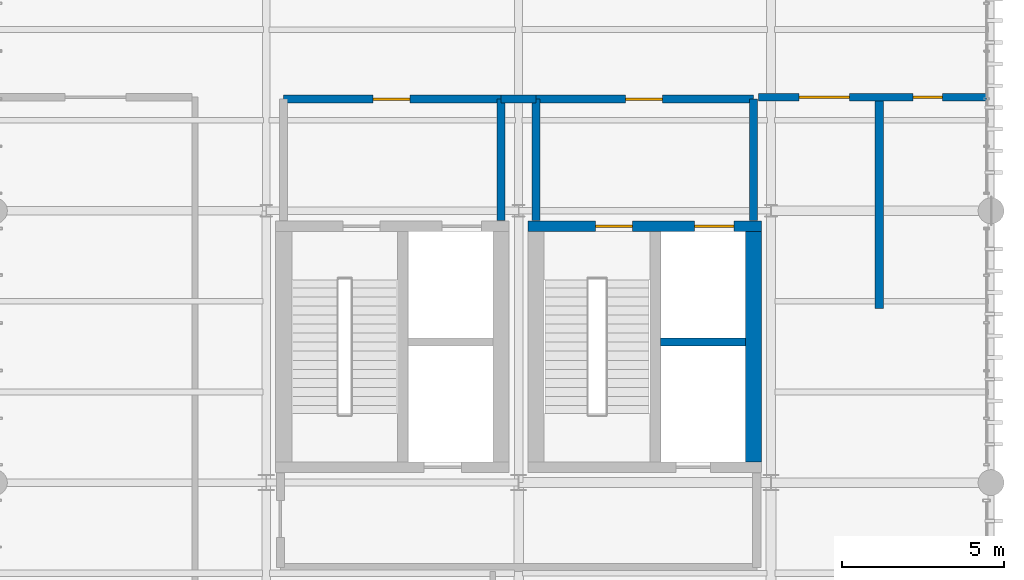
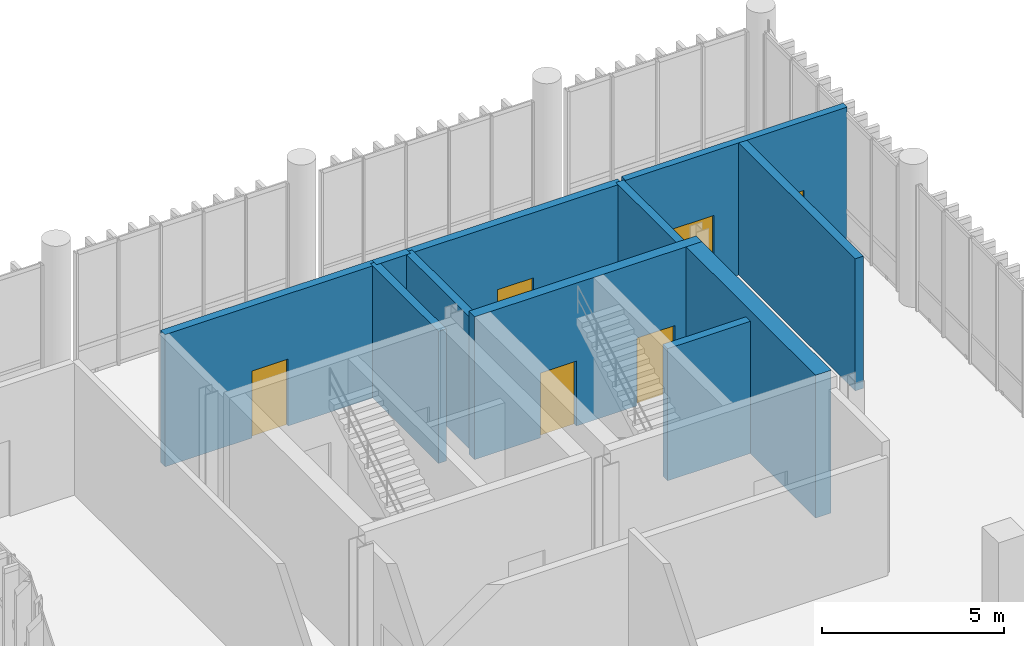
# One storey, part 96 of 109: 11 walls, 6 doors, 6 openings.
"""IFC4 building model written with IfcOpenShell, lengths in metres."""

from ifc_helpers import new_model, si_unit, direction, frame, frame_2d, origin_with_axes, place, context, subcontext, project, spatial, rectangle, extrude, material, layer, layer_set, type_object, element, fill, save


model = new_model("IFC4")

# Units and contexts
model_context = context("Model", 3, precision=1e-05, world=origin_with_axes(), true_north=direction((0.0, 1.0)))
body_context = subcontext(model_context, "Body", "Model", "MODEL_VIEW")
ifc_project = project(units=[si_unit("LENGTHUNIT", "METRE"), si_unit("AREAUNIT", "SQUARE_METRE"), si_unit("VOLUMEUNIT", "CUBIC_METRE"), si_unit("PLANEANGLEUNIT", "RADIAN"), si_unit("MASSUNIT", "GRAM", prefix="KILO"), si_unit("THERMODYNAMICTEMPERATUREUNIT", "KELVIN")], contexts=[model_context])

# Site, building, storey
site_placement = place(None, origin_with_axes())
site = spatial("IfcSite", under=ifc_project, at=site_placement, CompositionType="ELEMENT")
building_placement = place(site_placement, origin_with_axes())
building = spatial("IfcBuilding", under=site, at=building_placement, Name="Montbau Bow Law Courts", CompositionType="ELEMENT")
storey_placement = place(building_placement, frame((0.0, 0.0, 10.8), z_axis=(0.0, 0.0, 1.0), x_axis=(1.0, 0.0, 0.0)))
storey = spatial("IfcBuildingStorey", under=building, at=storey_placement, Name="L02", CompositionType="ELEMENT", Elevation=10.8)

# Wall
ifc_material_1 = material(Name="Concrete CSA A23.1 f'c 45 MPa", Category="concrete")
ifc_layer_1 = layer(ifc_material_1, 0.5, Name="Shear Wall", Category="concrete")
ifc_layer_set_1 = layer_set([ifc_layer_1], Name="Concrete CSA A23.1 f'c 45 MPa")
wall_type_1 = type_object("IfcWallType", Name="W-COR-01", PredefinedType="SHEAR", material=ifc_layer_set_1)
wall_1_placement = place(None, frame((162.06, 87.04, 10.8), z_axis=(0.0, 0.0, 1.0), x_axis=(0.0, 1.0, 0.0)))
element("IfcWall", 1, at=wall_1_placement, inside=storey, type_object=wall_type_1, Name="WC-L02-0406:wal_0473", PredefinedType="SHEAR", context=body_context, shape_type="SweptSolid", body=[
    extrude(rectangle(XDim=7.11999999999999, YDim=0.5, at=frame_2d((3.56, 0.0), x_axis=(1.0, 0.0))), origin_with_axes(), (0.0, 0.0, 1.0), 4.8),
])

# Wall, openings, doors
ifc_layer_2 = layer(ifc_material_1, 0.32, Name="Shear Wall", Category="concrete")
ifc_layer_set_2 = layer_set([ifc_layer_2], Name="Concrete CSA A23.1 f'c 45 MPa")
wall_type_2 = type_object("IfcWallType", Name="W-COR-05", PredefinedType="SHEAR", material=ifc_layer_set_2)
wall_2_placement = place(None, frame((162.31, 94.32, 10.8), z_axis=(0.0, 0.0, 1.0), x_axis=(-1.0, 0.0, 0.0)))
wall_2 = element("IfcWall", 2, at=wall_2_placement, inside=storey, type_object=wall_type_2, Name="WC-L02-0405:wal_0472", PredefinedType="SHEAR", context=body_context, shape_type="SweptSolid", body=[
    extrude(rectangle(XDim=7.219999999999999, YDim=0.32, at=frame_2d((3.61, 0.0), x_axis=(1.0, 0.0))), origin_with_axes(), (0.0, 0.0, 1.0), 4.8),
])
opening_1_placement = place(None, frame((157.75, 94.32, 10.8), z_axis=(0.0, 0.0, 1.0), x_axis=(-1.0, 0.0, 0.0)))
opening_1 = element("IfcOpeningElement", 3, at=opening_1_placement, cuts=wall_2, Name="OP-D-L02-ST-J2", PredefinedType="OPENING", context=body_context, shape_type="SweptSolid", body=[
    extrude(rectangle(XDim=1.14, YDim=2.18, at=frame_2d((0.0, 1.09), x_axis=(1.0, 0.0))), frame((0.0, 0.17, 0.0), z_axis=(0.0, -1.0, 0.0), x_axis=(1.0, 0.0, 0.0)), (0.0, 0.0, 1.0), 0.34),
])
opening_2_placement = place(None, frame((160.85, 94.32, 10.8), z_axis=(0.0, 0.0, 1.0), x_axis=(-1.0, 0.0, 0.0)))
opening_2 = element("IfcOpeningElement", 4, at=opening_2_placement, cuts=wall_2, Name="OP-LD-L02-EL-FF2", PredefinedType="OPENING", context=body_context, shape_type="SweptSolid", body=[
    extrude(rectangle(XDim=1.22, YDim=2.28, at=frame_2d((0.0, 1.14), x_axis=(1.0, 0.0))), frame((0.0, 0.17, 0.0), z_axis=(0.0, -1.0, 0.0), x_axis=(1.0, 0.0, 0.0)), (0.0, 0.0, 1.0), 0.34),
])
ifc_material_2 = material(Name="1.5 h Fire-Rated Hollow-Metal Exit Stair Door", Category="steel")
door_type_1 = type_object("IfcDoorType", Name="D-ST-01", OperationType="NOTDEFINED", ParameterTakesPrecedence=False, PredefinedType="DOOR", material=ifc_material_2)
door_1_placement = place(None, frame((157.75, 94.32, 10.8), z_axis=(0.0, 0.0, 1.0), x_axis=(1.0, 0.0, 0.0)))
door_1 = element("IfcDoor", 5, at=door_1_placement, inside=storey, type_object=door_type_1, Name="D-L02-ST-J2:dor_0189", OperationType="SINGLE_SWING_RIGHT", OverallHeight=2.18, OverallWidth=1.14, PredefinedType="DOOR", context=body_context, shape_type="SweptSolid", body=[
    extrude(rectangle(XDim=1.14, YDim=2.18, at=frame_2d((0.0, 1.09), x_axis=(1.0, 0.0))), frame((0.0, 0.04, 0.0), z_axis=(0.0, -1.0, 0.0), x_axis=(1.0, 0.0, 0.0)), (0.0, 0.0, 1.0), 0.08),
])
fill(opening_1, door_1)
ifc_material_3 = material(Name="CSA B44 Firefighters Elevator Landing Door", Category="steel")
door_type_2 = type_object("IfcDoorType", Name="LD-FFE-01", OperationType="NOTDEFINED", ParameterTakesPrecedence=False, PredefinedType="DOOR", material=ifc_material_3)
door_2_placement = place(None, frame((160.85, 94.32, 10.8), z_axis=(0.0, 0.0, 1.0), x_axis=(1.0, 0.0, 0.0)))
door_2 = element("IfcDoor", 6, at=door_2_placement, inside=storey, type_object=door_type_2, Name="LD-L02-EL-FF2:dor_0190", OperationType="SLIDING_TO_LEFT", OverallHeight=2.28, OverallWidth=1.22, PredefinedType="DOOR", context=body_context, shape_type="SweptSolid", body=[
    extrude(rectangle(XDim=1.22, YDim=2.28, at=frame_2d((0.0, 1.14), x_axis=(1.0, 0.0))), frame((0.0, 0.04, 0.0), z_axis=(0.0, -1.0, 0.0), x_axis=(1.0, 0.0, 0.0)), (0.0, 0.0, 1.0), 0.08),
])
fill(opening_2, door_2)

# Wall
ifc_material_4 = material(Name="Double-Stud Acoustic Plumbing Chase Gypsum Assembly", Category="gypsum")
ifc_layer_3 = layer(ifc_material_4, 0.26, Name="Plumbing Wall", Category="gypsum")
ifc_layer_set_3 = layer_set([ifc_layer_3], Name="Double-Stud Acoustic Plumbing Chase Gypsum Assembly")
wall_type_3 = type_object("IfcWallType", Name="W-PLM-01", PredefinedType="PLUMBINGWALL", material=ifc_layer_set_3)
wall_3_placement = place(None, frame((165.94, 91.78, 10.8), z_axis=(0.0, 0.0, 1.0), x_axis=(0.0, 1.0, 0.0)))
element("IfcWall", 7, at=wall_3_placement, inside=storey, type_object=wall_type_3, Name="WD-L02-0761:wal_0828", PredefinedType="PLUMBINGWALL", context=body_context, shape_type="SweptSolid", body=[
    extrude(rectangle(XDim=6.429999999999993, YDim=0.26, at=frame_2d((3.215, 0.0), x_axis=(1.0, 0.0))), origin_with_axes(), (0.0, 0.0, 1.0), 4.44),
])

# Wall, opening, door
ifc_material_5 = material(Name="2 h Shaft and Exit-Passage Fire Separation Partition", Category="gypsum")
ifc_layer_4 = layer(ifc_material_5, 0.25, Name="Partition", Category="gypsum")
ifc_layer_set_4 = layer_set([ifc_layer_4], Name="2 h Shaft and Exit-Passage Fire Separation Partition")
wall_type_4 = type_object("IfcWallType", Name="W-PRT-01", PredefinedType="PARTITIONING", material=ifc_layer_set_4)
wall_4_placement = place(None, frame((154.26, 98.25, 10.8), z_axis=(0.0, 0.0, 1.0), x_axis=(-1.0, 0.0, 0.0)))
wall_4 = element("IfcWall", 8, at=wall_4_placement, inside=storey, type_object=wall_type_4, Name="WFF-L02-0301:wal_0368", PredefinedType="PARTITIONING", context=body_context, shape_type="SweptSolid", body=[
    extrude(rectangle(XDim=6.719999999999999, YDim=0.25, at=frame_2d((3.36, 0.0), x_axis=(1.0, 0.0))), origin_with_axes(), (0.0, 0.0, 1.0), 4.44),
])
opening_3_placement = place(None, frame((150.875, 98.25, 10.8), z_axis=(0.0, 0.0, 1.0), x_axis=(-1.0, 0.0, 0.0)))
opening_3 = element("IfcOpeningElement", 9, at=opening_3_placement, cuts=wall_4, Name="OP-D-L02-FFL5", PredefinedType="OPENING", context=body_context, shape_type="SweptSolid", body=[
    extrude(rectangle(XDim=1.15, YDim=2.25, at=frame_2d((0.0, 1.125), x_axis=(1.0, 0.0))), frame((0.0, 0.135, 0.0), z_axis=(0.0, -1.0, 0.0), x_axis=(1.0, 0.0, 0.0)), (0.0, 0.0, 1.0), 0.27),
])
ifc_material_6 = material(Name="1.5 h Smoke-Sealed Firefighters Lobby Door", Category="steel")
door_type_3 = type_object("IfcDoorType", Name="D-FFL-01", OperationType="NOTDEFINED", ParameterTakesPrecedence=False, PredefinedType="DOOR", material=ifc_material_6)
door_3_placement = place(None, frame((150.875, 98.25, 10.8), z_axis=(0.0, 0.0, 1.0), x_axis=(1.0, 0.0, 0.0)))
door_3 = element("IfcDoor", 10, at=door_3_placement, inside=storey, type_object=door_type_3, Name="D-L02-FFL5:dor_0152", OperationType="SINGLE_SWING_LEFT", OverallHeight=2.25, OverallWidth=1.15, PredefinedType="DOOR", context=body_context, shape_type="SweptSolid", body=[
    extrude(rectangle(XDim=1.15, YDim=2.25, at=frame_2d((0.0, 1.125), x_axis=(1.0, 0.0))), frame((0.0, 0.04, 0.0), z_axis=(0.0, -1.0, 0.0), x_axis=(1.0, 0.0, 0.0)), (0.0, 0.0, 1.0), 0.08),
])
fill(opening_3, door_3)

# Walls
wall_5_placement = place(None, frame((154.26, 94.5, 10.8), z_axis=(0.0, 0.0, 1.0), x_axis=(0.0, 1.0, 0.0)))
element("IfcWall", 11, at=wall_5_placement, inside=storey, type_object=wall_type_4, Name="WFF-L02-0303:wal_0370", PredefinedType="PARTITIONING", context=body_context, shape_type="SweptSolid", body=[
    extrude(rectangle(XDim=3.75, YDim=0.25, at=frame_2d((1.875, 0.0), x_axis=(1.0, 0.0))), origin_with_axes(), (0.0, 0.0, 1.0), 4.44),
])
wall_6_placement = place(None, frame((159.18, 90.749, 10.8), z_axis=(0.0, 0.0, 1.0), x_axis=(1.0, 0.0, 0.0)))
element("IfcWall", 12, at=wall_6_placement, inside=storey, type_object=wall_type_4, Name="WS-L02-0409:wal_0476", PredefinedType="PARTITIONING", context=body_context, shape_type="SweptSolid", body=[
    extrude(rectangle(XDim=2.6299999999999955, YDim=0.25, at=frame_2d((1.315, 0.0), x_axis=(1.0, 0.0))), origin_with_axes(), (0.0, 0.0, 1.0), 4.44),
])

# Wall, opening, door
wall_7_placement = place(None, frame((162.06, 98.25, 10.8), z_axis=(0.0, 0.0, 1.0), x_axis=(-1.0, 0.0, 0.0)))
wall_7 = element("IfcWall", 13, at=wall_7_placement, inside=storey, type_object=wall_type_4, Name="WFF-L02-0410:wal_0477", PredefinedType="PARTITIONING", context=body_context, shape_type="SweptSolid", body=[
    extrude(rectangle(XDim=6.719999999999999, YDim=0.25, at=frame_2d((3.36, 0.0), x_axis=(1.0, 0.0))), origin_with_axes(), (0.0, 0.0, 1.0), 4.44),
])
opening_4_placement = place(None, frame((158.675, 98.25, 10.8), z_axis=(0.0, 0.0, 1.0), x_axis=(-1.0, 0.0, 0.0)))
opening_4 = element("IfcOpeningElement", 14, at=opening_4_placement, cuts=wall_7, Name="OP-D-L02-FFL6", PredefinedType="OPENING", context=body_context, shape_type="SweptSolid", body=[
    extrude(rectangle(XDim=1.15, YDim=2.25, at=frame_2d((0.0, 1.125), x_axis=(1.0, 0.0))), frame((0.0, 0.135, 0.0), z_axis=(0.0, -1.0, 0.0), x_axis=(1.0, 0.0, 0.0)), (0.0, 0.0, 1.0), 0.27),
])
door_4_placement = place(None, frame((158.675, 98.25, 10.8), z_axis=(0.0, 0.0, 1.0), x_axis=(1.0, 0.0, 0.0)))
door_4 = element("IfcDoor", 15, at=door_4_placement, inside=storey, type_object=door_type_3, Name="D-L02-FFL6:dor_0192", OperationType="SINGLE_SWING_LEFT", OverallHeight=2.25, OverallWidth=1.15, PredefinedType="DOOR", context=body_context, shape_type="SweptSolid", body=[
    extrude(rectangle(XDim=1.15, YDim=2.25, at=frame_2d((0.0, 1.125), x_axis=(1.0, 0.0))), frame((0.0, 0.04, 0.0), z_axis=(0.0, -1.0, 0.0), x_axis=(1.0, 0.0, 0.0)), (0.0, 0.0, 1.0), 0.08),
])
fill(opening_4, door_4)

# Walls
for number, where, z_axis, x_axis, name in (
    (16, (155.34, 94.5, 10.8), (0.0, 0.0, 1.0), (0.0, 1.0, 0.0), "WFF-L02-0411:wal_0478"),
    (17, (162.06, 94.5, 10.8), (0.0, 0.0, 1.0), (0.0, 1.0, 0.0), "WFF-L02-0412:wal_0479"),
):
    element("IfcWall", number, at=place(None, frame(where, z_axis=z_axis, x_axis=x_axis)), inside=storey, type_object=wall_type_4, Name=name, PredefinedType="PARTITIONING", context=body_context, shape_type="SweptSolid", body=[
        extrude(rectangle(XDim=3.75, YDim=0.25, at=frame_2d((1.875, 0.0), x_axis=(1.0, 0.0))), origin_with_axes(), (0.0, 0.0, 1.0), 4.44),
    ])
wall_8_placement = place(None, frame((154.26, 98.25, 10.8), z_axis=(0.0, 0.0, 1.0), x_axis=(1.0, 0.0, 0.0)))
element("IfcWall", 18, at=wall_8_placement, inside=storey, type_object=wall_type_4, Name="WFF-L02-0546:wal_0613", PredefinedType="PARTITIONING", context=body_context, shape_type="SweptSolid", body=[
    extrude(rectangle(XDim=1.0800000000000125, YDim=0.25, at=frame_2d((0.54, 0.0), x_axis=(1.0, 0.0))), origin_with_axes(), (0.0, 0.0, 1.0), 4.44),
])

# Wall, openings, doors
ifc_material_7 = material(Name="STC-60 High-Acoustic Courtroom Perimeter Partition", Category="gypsum")
ifc_layer_5 = layer(ifc_material_7, 0.22, Name="Partition", Category="gypsum")
ifc_layer_set_5 = layer_set([ifc_layer_5], Name="STC-60 High-Acoustic Courtroom Perimeter Partition")
wall_type_5 = type_object("IfcWallType", Name="W-PRT-02", PredefinedType="PARTITIONING", material=ifc_layer_set_5)
wall_9_placement = place(None, frame((162.22, 98.31, 10.8), z_axis=(0.0, 0.0, 1.0), x_axis=(1.0, 0.0, 0.0)))
wall_9 = element("IfcWall", 19, at=wall_9_placement, inside=storey, type_object=wall_type_5, Name="WP-L02-0760:wal_0827", PredefinedType="PARTITIONING", context=body_context, shape_type="SweptSolid", body=[
    extrude(rectangle(XDim=7.039999999999992, YDim=0.22, at=frame_2d((3.52, 0.0), x_axis=(1.0, 0.0))), origin_with_axes(), (0.0, 0.0, 1.0), 4.44),
])
opening_5_placement = place(None, frame((164.242, 98.31, 10.8), z_axis=(0.0, 0.0, 1.0), x_axis=(1.0, 0.0, 0.0)))
opening_5 = element("IfcOpeningElement", 20, at=opening_5_placement, cuts=wall_9, Name="OP-D-L02-313", PredefinedType="OPENING", context=body_context, shape_type="SweptSolid", body=[
    extrude(rectangle(XDim=1.56, YDim=2.28, at=frame_2d((0.0, 1.14), x_axis=(1.0, 0.0))), frame((0.0, 0.12, 0.0), z_axis=(0.0, -1.0, 0.0), x_axis=(1.0, 0.0, 0.0)), (0.0, 0.0, 1.0), 0.24),
])
opening_6_placement = place(None, frame((167.438, 98.31, 10.8), z_axis=(0.0, 0.0, 1.0), x_axis=(1.0, 0.0, 0.0)))
opening_6 = element("IfcOpeningElement", 21, at=opening_6_placement, cuts=wall_9, Name="OP-D-L02-314", PredefinedType="OPENING", context=body_context, shape_type="SweptSolid", body=[
    extrude(rectangle(XDim=0.91, YDim=2.12, at=frame_2d((0.0, 1.06), x_axis=(1.0, 0.0))), frame((0.0, 0.12, 0.0), z_axis=(0.0, -1.0, 0.0), x_axis=(1.0, 0.0, 0.0)), (0.0, 0.0, 1.0), 0.24),
])
ifc_material_8 = material(Name="Case Registry Counter Suite Double Door", Category="wood")
door_type_4 = type_object("IfcDoorType", Name="D-REG-01", OperationType="NOTDEFINED", ParameterTakesPrecedence=False, PredefinedType="DOOR", material=ifc_material_8)
door_5_placement = place(None, frame((164.242, 98.31, 10.8), z_axis=(0.0, 0.0, 1.0), x_axis=(1.0, 0.0, 0.0)))
door_5 = element("IfcDoor", 22, at=door_5_placement, inside=storey, type_object=door_type_4, Name="D-L02-313:dor_0348", OperationType="DOUBLE_DOOR_SINGLE_SWING", OverallHeight=2.28, OverallWidth=1.56, PredefinedType="DOOR", context=body_context, shape_type="SweptSolid", body=[
    extrude(rectangle(XDim=1.56, YDim=2.28, at=frame_2d((0.0, 1.14), x_axis=(1.0, 0.0))), frame((0.0, 0.04, 0.0), z_axis=(0.0, -1.0, 0.0), x_axis=(1.0, 0.0, 0.0)), (0.0, 0.0, 1.0), 0.08),
])
fill(opening_5, door_5)
ifc_material_9 = material(Name="Public and Judicial Washroom Solid-Core Door", Category="wood")
door_type_5 = type_object("IfcDoorType", Name="D-WC-02", OperationType="NOTDEFINED", ParameterTakesPrecedence=False, PredefinedType="DOOR", material=ifc_material_9)
door_6_placement = place(None, frame((167.438, 98.31, 10.8), z_axis=(0.0, 0.0, 1.0), x_axis=(1.0, 0.0, 0.0)))
door_6 = element("IfcDoor", 23, at=door_6_placement, inside=storey, type_object=door_type_5, Name="D-L02-314:dor_0349", OperationType="SINGLE_SWING_LEFT", OverallHeight=2.12, OverallWidth=0.91, PredefinedType="DOOR", context=body_context, shape_type="SweptSolid", body=[
    extrude(rectangle(XDim=0.91, YDim=2.12, at=frame_2d((0.0, 1.06), x_axis=(1.0, 0.0))), frame((0.0, 0.04, 0.0), z_axis=(0.0, -1.0, 0.0), x_axis=(1.0, 0.0, 0.0)), (0.0, 0.0, 1.0), 0.08),
])
fill(opening_6, door_6)

save(model, "model.ifc")
